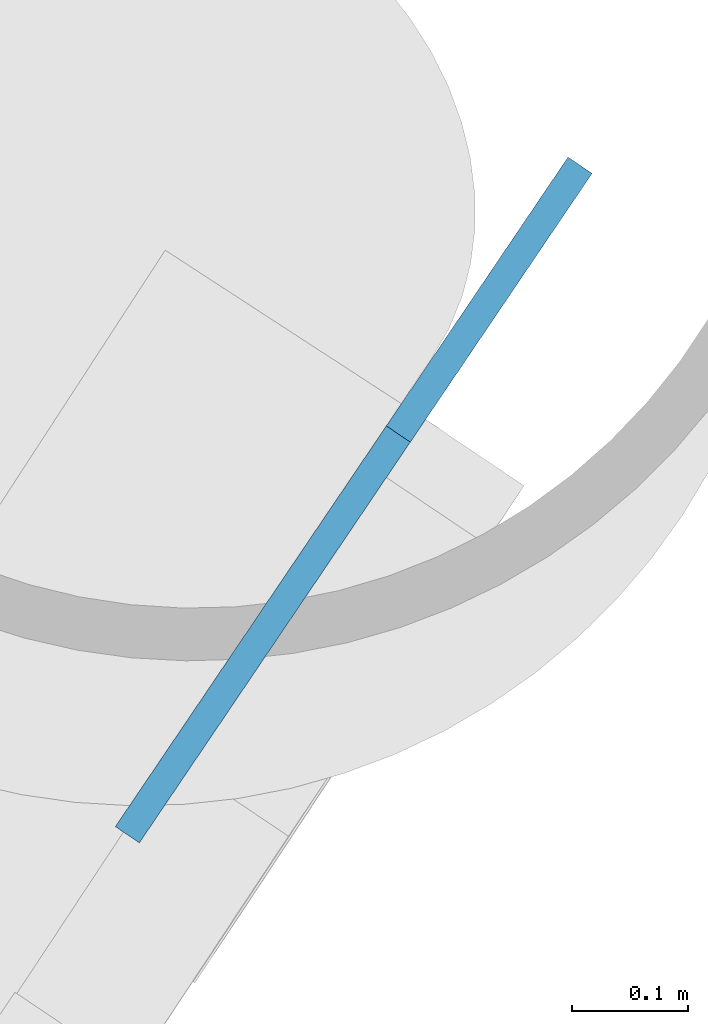
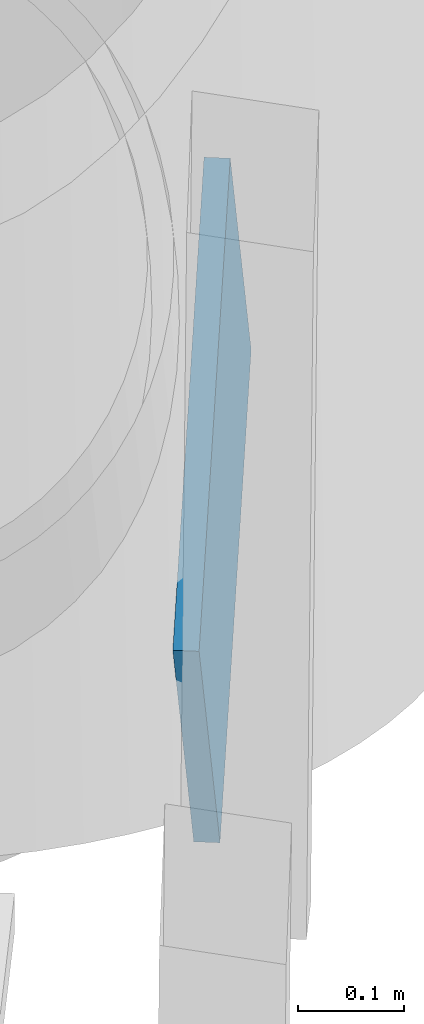
# One storey, part 15 of 24: 1 discrete accessory.
"""IFC4 building model written with IfcOpenShell, lengths in metres."""

from ifc_helpers import new_model, si_unit, direction, frame, origin, origin_2d, place, context, subcontext, project, spatial, rectangle, extrude, material, material_profile, profile_set, type_object, element, save


model = new_model("IFC4")

# Units and contexts
model_context = context("Model", 3, precision=1e-05, world=origin(), true_north=direction((0.0, 1.0)))
body_context = subcontext(model_context, "Body", "Model", "MODEL_VIEW")
ifc_project = project(units=[si_unit("LENGTHUNIT", "METRE"), si_unit("AREAUNIT", "SQUARE_METRE"), si_unit("VOLUMEUNIT", "CUBIC_METRE"), si_unit("PLANEANGLEUNIT", "RADIAN"), si_unit("MASSUNIT", "GRAM", prefix="KILO")], contexts=[model_context])

# Site, building, storey
site_placement = place(None, origin())
site = spatial("IfcSite", under=ifc_project, at=site_placement, CompositionType="ELEMENT")
building_placement = place(site_placement, origin())
building = spatial("IfcBuilding", under=site, at=building_placement, Name="Tarsis Ring Headquarters", CompositionType="ELEMENT")
storey_placement = place(building_placement, frame((0.0, 0.0, 178.800048828125)))
storey = spatial("IfcBuildingStorey", under=building, at=storey_placement, Name="L41", CompositionType="ELEMENT", Elevation=178.800048828125)

# Discrete accessory
ifc_material = material(Name="Structural steel S355", Category="steel")
ifc_material_profile = material_profile(ifc_material, rectangle(XDim=0.02490234375, YDim=0.5, at=origin_2d()), Name="PL 25x500")
ifc_profile_set = profile_set([ifc_material_profile], Name="Structural steel S355")
discrete_accessory_type = type_object("IfcDiscreteAccessoryType", Name="Gusset plate Exo brace 25", PredefinedType="BRACKET", material=ifc_profile_set)
discrete_accessory_placement = place(storey_placement, frame((27.244384765625, -10.939453125, 0.0), z_axis=(-0.311995242805, -0.461401415416, 0.830522547749), x_axis=(0.828391087501, -0.560150163929, 0.0)))
element("IfcDiscreteAccessory", 1, at=discrete_accessory_placement, inside=storey, type_object=discrete_accessory_type, Name="Gusset plate GP5", PredefinedType="BRACKET", context=body_context, shape_type="SweptSolid", body=[
    extrude(rectangle(XDim=0.02490234375, YDim=0.5, at=origin_2d()), origin(), (0.0, 0.0, 1.0), 0.5),
])

save(model, "model.ifc")
